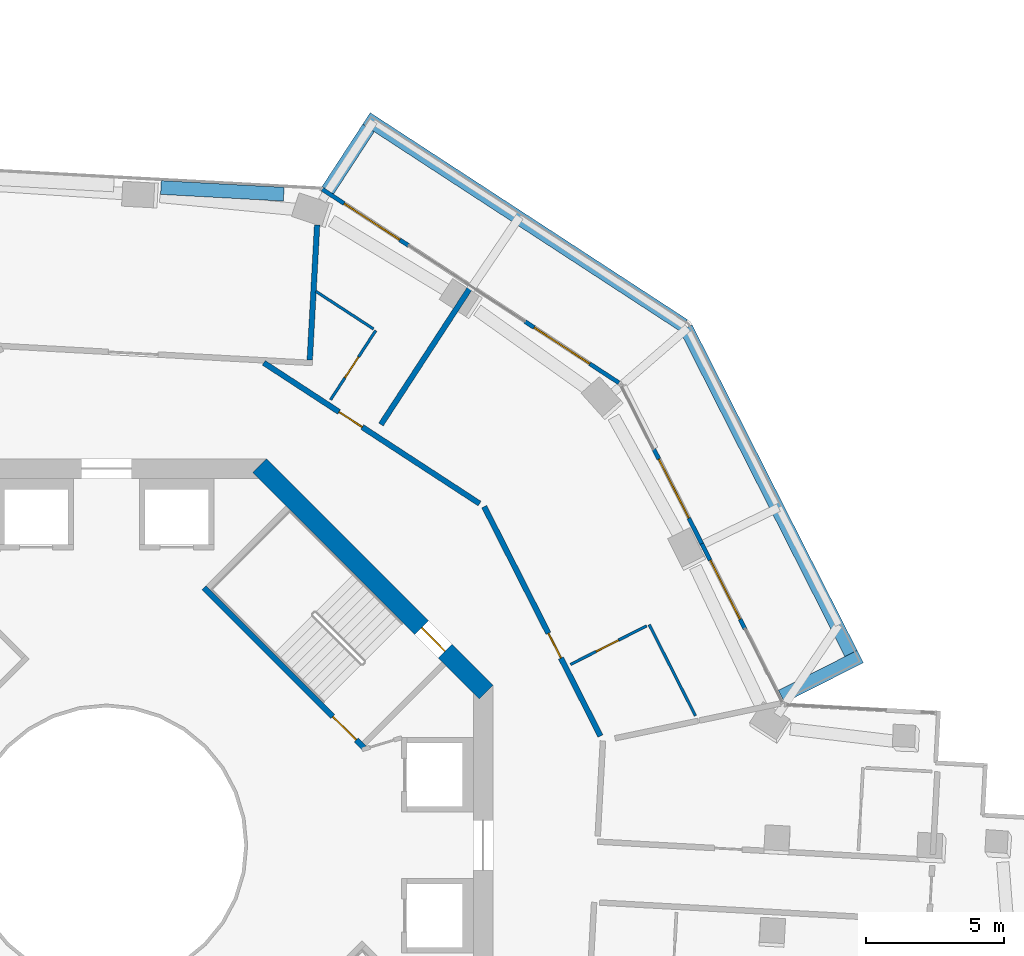
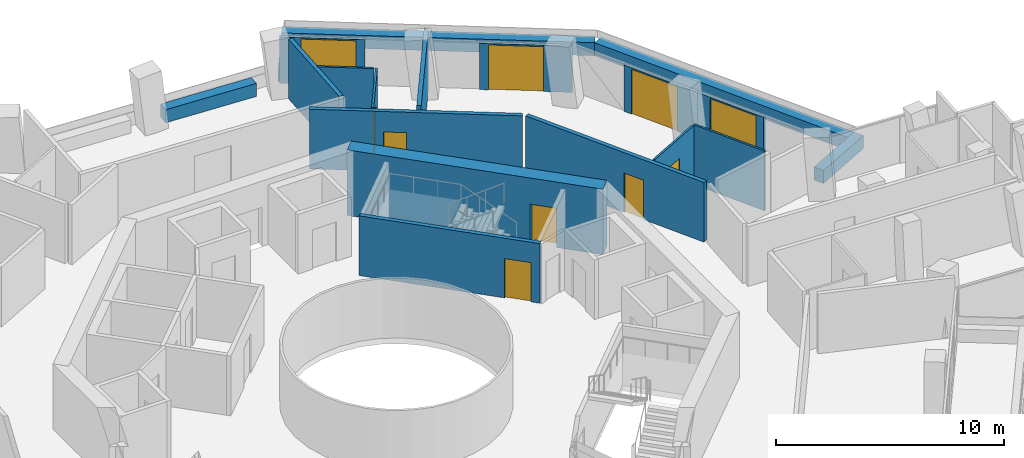
# One storey, part 20 of 23: 19 walls, 10 doors, 10 openings.
"""IFC4 building model written with IfcOpenShell, lengths in metres."""

from ifc_helpers import new_model, si_unit, direction, frame, frame_2d, origin, place, context, subcontext, project, spatial, rectangle, extrude, material, layer, layer_set, type_object, element, fill, save


model = new_model("IFC4")

# Units and contexts
model_context = context("Model", 3, precision=1e-05, world=origin(), true_north=direction((0.0, 1.0)))
body_context = subcontext(model_context, "Body", "Model", "MODEL_VIEW")
ifc_project = project(units=[si_unit("LENGTHUNIT", "METRE"), si_unit("AREAUNIT", "SQUARE_METRE"), si_unit("VOLUMEUNIT", "CUBIC_METRE"), si_unit("PLANEANGLEUNIT", "RADIAN"), si_unit("MASSUNIT", "GRAM", prefix="KILO")], contexts=[model_context])

# Site, building, storey
site_placement = place(None, origin())
site = spatial("IfcSite", under=ifc_project, at=site_placement, CompositionType="ELEMENT")
building_placement = place(site_placement, origin())
building = spatial("IfcBuilding", under=site, at=building_placement, Name="Verdalira Terraces Hotel", CompositionType="ELEMENT")
storey_placement = place(building_placement, frame((0.0, 0.0, 143.5)))
storey = spatial("IfcBuildingStorey", under=building, at=storey_placement, Name="L34", CompositionType="ELEMENT", Elevation=143.5)

# Walls
ifc_material_1 = material(Name="Concrete C40", Category="concrete")
ifc_layer_1 = layer(ifc_material_1, 0.5)
ifc_layer_set_1 = layer_set([ifc_layer_1], Name="Balcony planter trough with tree")
wall_type_1 = type_object("IfcWallType", Name="Balcony planter trough with tree", PredefinedType="SOLIDWALL", material=ifc_layer_set_1)
wall_1_placement = place(storey_placement, frame((24.464111, 5.393555, 0.0), z_axis=(0.0, 0.0, 1.0), x_axis=(0.89195617, 0.452121875, 0.0)))
element("IfcWall", 1, at=wall_1_placement, inside=storey, type_object=wall_type_1, Name="Balcony planter", PredefinedType="SOLIDWALL", context=body_context, shape_type="SweptSolid", body=[
    extrude(rectangle(XDim=3.198975, YDim=0.5, at=frame_2d((1.599609, 0.0))), origin(), (0.0, 0.0, 1.0), 0.699951),
])
wall_2_placement = place(storey_placement, frame((26.981445, 6.949707, 0.0), z_axis=(0.0, 0.0, 1.0), x_axis=(-0.452125212, 0.891954479, 0.0)))
element("IfcWall", 2, at=wall_2_placement, inside=storey, type_object=wall_type_1, Name="Balcony planter", PredefinedType="SOLIDWALL", context=body_context, shape_type="SweptSolid", body=[
    extrude(rectangle(XDim=13.223633, YDim=0.5, at=frame_2d((6.611816, 0.0))), origin(), (0.0, 0.0, 1.0), 0.699951),
])
wall_3_placement = place(storey_placement, frame((20.91626, 18.84082, 0.0), z_axis=(0.0, 0.0, 1.0), x_axis=(-0.837521399, 0.546404526, 0.0)))
element("IfcWall", 3, at=wall_3_placement, inside=storey, type_object=wall_type_1, Name="Balcony planter", PredefinedType="SOLIDWALL", context=body_context, shape_type="SweptSolid", body=[
    extrude(rectangle(XDim=13.723389, YDim=0.5, at=frame_2d((6.861816, 0.0))), origin(), (0.0, 0.0, 1.0), 0.699951),
])
wall_4_placement = place(storey_placement, frame((9.495361, 25.993408, 0.0), z_axis=(0.0, 0.0, 1.0), x_axis=(-0.546427803, -0.837506212, 0.0)))
element("IfcWall", 4, at=wall_4_placement, inside=storey, type_object=wall_type_1, Name="Balcony planter", PredefinedType="SOLIDWALL", context=body_context, shape_type="SweptSolid", body=[
    extrude(rectangle(XDim=2.698975, YDim=0.5, at=frame_2d((1.349609, 0.0))), origin(), (0.0, 0.0, 1.0), 0.699951),
])
ifc_material_2 = material(Name="Moisture-resistant gypsum board partition")
ifc_layer_2 = layer(ifc_material_2, 0.10009765625)
ifc_layer_set_2 = layer_set([ifc_layer_2], Name="Bathroom partition 100 mm")
wall_type_2 = type_object("IfcWallType", Name="Bathroom partition 100 mm", PredefinedType="PARTITIONING", material=ifc_layer_set_2)
wall_5_placement = place(storey_placement, frame((7.586426, 20.074707, 0.0), z_axis=(0.0, 0.0, 1.0), x_axis=(0.837560013, -0.546345335, 0.0)))
element("IfcWall", 5, at=wall_5_placement, inside=storey, type_object=wall_type_2, Name="Bathroom partition", PredefinedType="PARTITIONING", context=body_context, shape_type="SweptSolid", body=[
    extrude(rectangle(XDim=2.496582, YDim=0.100098, at=frame_2d((1.248291, 0.0))), origin(), (0.0, 0.0, 1.0), 3.189941),
])

# Wall, opening, door
wall_6_placement = place(storey_placement, frame((8.121826, 16.143311, 0.0), z_axis=(0.0, 0.0, 1.0), x_axis=(0.546372035, 0.837542595, 0.0)))
wall_6 = element("IfcWall", 6, at=wall_6_placement, inside=storey, type_object=wall_type_2, Name="Bathroom partition", PredefinedType="PARTITIONING", context=body_context, shape_type="SweptSolid", body=[
    extrude(rectangle(XDim=3.0, YDim=0.100098, at=frame_2d((1.5, 0.0))), origin(), (0.0, 0.0, 1.0), 3.189941),
])
opening_1_placement = place(wall_6_placement, frame((0.949951, 0.0, 0.0)))
opening_1 = element("IfcOpeningElement", 7, at=opening_1_placement, cuts=wall_6, Name="Opening L34-130", PredefinedType="OPENING", context=body_context, shape_type="SweptSolid", body=[
    extrude(rectangle(XDim=0.899902, YDim=2.100098, at=frame_2d((0.449951, 1.050049))), frame((0.0, 0.060059, 0.0), z_axis=(0.0, -1.0, 0.0), x_axis=(1.0, 0.0, 0.0)), (0.0, 0.0, 1.0), 0.120117),
])
ifc_material_3 = material(Name="Timber door", Category="wood")
door_type_1 = type_object("IfcDoorType", Name="Bathroom door 900 x 2100", OperationType="NOTDEFINED", PredefinedType="DOOR", material=ifc_material_3)
door_1_placement = place(opening_1_placement, origin())
door_1 = element("IfcDoor", 8, at=door_1_placement, inside=storey, type_object=door_type_1, Name="Bathroom door 3411", OperationType="SINGLE_SWING_RIGHT", OverallHeight=2.10009765625, OverallWidth=0.89990234375, PredefinedType="DOOR", context=body_context, shape_type="SweptSolid", body=[
    extrude(rectangle(XDim=0.899902, YDim=2.100098, at=frame_2d((0.449951, 1.050049))), frame((0.0, 0.024902, 0.0), z_axis=(0.0, -1.0, 0.0), x_axis=(1.0, 0.0, 0.0)), (0.0, 0.0, 1.0), 0.050049),
])
fill(opening_1, door_1)

wall_7_placement = place(storey_placement, frame((19.578125, 7.952637, 0.0), z_axis=(0.0, 0.0, 1.0), x_axis=(-0.891956597, -0.452121033, 0.0)))
wall_7 = element("IfcWall", 9, at=wall_7_placement, inside=storey, type_object=wall_type_2, Name="Bathroom partition", PredefinedType="PARTITIONING", context=body_context, shape_type="SweptSolid", body=[
    extrude(rectangle(XDim=3.100098, YDim=0.100098, at=frame_2d((1.550049, 0.0))), origin(), (0.0, 0.0, 1.0), 3.189941),
])
opening_2_placement = place(wall_7_placement, frame((1.149902, 0.0, 0.0)))
opening_2 = element("IfcOpeningElement", 10, at=opening_2_placement, cuts=wall_7, Name="Opening L34-128", PredefinedType="OPENING", context=body_context, shape_type="SweptSolid", body=[
    extrude(rectangle(XDim=0.899902, YDim=2.100098, at=frame_2d((0.449951, 1.050049))), frame((0.0, 0.060059, 0.0), z_axis=(0.0, -1.0, 0.0), x_axis=(1.0, 0.0, 0.0)), (0.0, 0.0, 1.0), 0.120117),
])
door_2_placement = place(opening_2_placement, origin())
door_2 = element("IfcDoor", 11, at=door_2_placement, inside=storey, type_object=door_type_1, Name="Bathroom door 3410", OperationType="SINGLE_SWING_LEFT", OverallHeight=2.10009765625, OverallWidth=0.89990234375, PredefinedType="DOOR", context=body_context, shape_type="SweptSolid", body=[
    extrude(rectangle(XDim=0.899902, YDim=2.100098, at=frame_2d((0.449951, 1.050049))), frame((0.0, 0.024902, 0.0), z_axis=(0.0, -1.0, 0.0), x_axis=(1.0, 0.0, 0.0)), (0.0, 0.0, 1.0), 0.050049),
])
fill(opening_2, door_2)

# Wall
wall_8_placement = place(storey_placement, frame((19.667236, 7.997803, 0.0), z_axis=(0.0, 0.0, 1.0), x_axis=(0.452110949, -0.891961709, 0.0)))
element("IfcWall", 12, at=wall_8_placement, inside=storey, type_object=wall_type_2, Name="Bathroom partition", PredefinedType="PARTITIONING", context=body_context, shape_type="SweptSolid", body=[
    extrude(rectangle(XDim=3.703857, YDim=0.100098, at=frame_2d((1.852051, 0.0))), origin(), (0.0, 0.0, 1.0), 3.189941),
])

# Wall, opening, door
ifc_material_4 = material(Name="Concrete C50", Category="concrete")
ifc_layer_3 = layer(ifc_material_4, 0.199951171875)
ifc_layer_set_3 = layer_set([ifc_layer_3], Name="Core RC wall 200 C50")
wall_type_3 = type_object("IfcWallType", Name="Core RC wall 200 C50", PredefinedType="SOLIDWALL", material=ifc_layer_set_3)
wall_9_placement = place(storey_placement, frame((3.5354, 9.33374, 0.0), z_axis=(0.0, 0.0, 1.0), x_axis=(0.707106781, -0.707106781, 0.0)))
wall_9 = element("IfcWall", 13, at=wall_9_placement, inside=storey, type_object=wall_type_3, Name="L34 stair ST1 front wall", PredefinedType="SOLIDWALL", context=body_context, shape_type="SweptSolid", body=[
    extrude(rectangle(XDim=8.200195, YDim=0.199951, at=frame_2d((4.100098, 0.0))), origin(), (0.0, 0.0, 1.0), 3.189941),
])
opening_3_placement = place(wall_9_placement, frame((6.600098, 0.0, 0.0)))
opening_3 = element("IfcOpeningElement", 14, at=opening_3_placement, cuts=wall_9, Name="Opening L34-809", PredefinedType="OPENING", context=body_context, shape_type="SweptSolid", body=[
    extrude(rectangle(XDim=1.199951, YDim=2.100098, at=frame_2d((0.600098, 1.050049))), frame((0.0, 0.109863, 0.0), z_axis=(0.0, -1.0, 0.0), x_axis=(1.0, 0.0, 0.0)), (0.0, 0.0, 1.0), 0.219971),
])
ifc_material_5 = material(Name="Steel fire door", Category="steel")
door_type_2 = type_object("IfcDoorType", Name="Stair door 1200 x 2100", OperationType="NOTDEFINED", PredefinedType="DOOR", material=ifc_material_5)
door_3_placement = place(opening_3_placement, origin())
door_3 = element("IfcDoor", 15, at=door_3_placement, inside=storey, type_object=door_type_2, Name="Stair door ST1 L34", OperationType="SINGLE_SWING_RIGHT", OverallHeight=2.10009765625, OverallWidth=1.199951171875, PredefinedType="DOOR", context=body_context, shape_type="SweptSolid", body=[
    extrude(rectangle(XDim=1.199951, YDim=2.100098, at=frame_2d((0.600098, 1.050049))), frame((0.0, 0.024902, 0.0), z_axis=(0.0, -1.0, 0.0), x_axis=(1.0, 0.0, 0.0)), (0.0, 0.0, 1.0), 0.050049),
])
fill(opening_3, door_3)

ifc_material_6 = material(Name="Concrete C60", Category="concrete")
ifc_layer_4 = layer(ifc_material_6, 0.699951171875)
ifc_layer_set_4 = layer_set([ifc_layer_4], Name="Core wall 700 C60")
wall_type_4 = type_object("IfcWallType", Name="Core wall 700 C60", PredefinedType="SHEAR", material=ifc_layer_set_4)
wall_10_placement = place(storey_placement, frame((13.752441, 5.551514, 0.0), z_axis=(0.0, 0.0, 1.0), x_axis=(-0.707106781, 0.707106781, 0.0)))
wall_10 = element("IfcWall", 16, at=wall_10_placement, inside=storey, type_object=wall_type_4, Name="Core wall CW-L34-2", PredefinedType="SHEAR", context=body_context, shape_type="SweptSolid", body=[
    extrude(rectangle(XDim=11.5979, YDim=0.699951, at=frame_2d((5.798828, 0.0))), origin(), (0.0, 0.0, 1.0), 3.5),
])
opening_4_placement = place(wall_10_placement, frame((2.099121, 0.0, 0.0)))
opening_4 = element("IfcOpeningElement", 17, at=opening_4_placement, cuts=wall_10, Name="Opening L34-816", PredefinedType="OPENING", context=body_context, shape_type="SweptSolid", body=[
    extrude(rectangle(XDim=1.199951, YDim=2.100098, at=frame_2d((0.600098, 1.050049))), frame((0.0, 0.359863, 0.0), z_axis=(0.0, -1.0, 0.0), x_axis=(1.0, 0.0, 0.0)), (0.0, 0.0, 1.0), 0.719971),
])
door_4_placement = place(opening_4_placement, origin())
door_4 = element("IfcDoor", 18, at=door_4_placement, inside=storey, type_object=door_type_2, Name="Stair exit door ST1 L34", OperationType="SINGLE_SWING_LEFT", OverallHeight=2.10009765625, OverallWidth=1.199951171875, PredefinedType="DOOR", context=body_context, shape_type="SweptSolid", body=[
    extrude(rectangle(XDim=1.199951, YDim=2.100098, at=frame_2d((0.600098, 1.050049))), frame((0.0, 0.024902, 0.0), z_axis=(0.0, -1.0, 0.0), x_axis=(1.0, 0.0, 0.0)), (0.0, 0.0, 1.0), 0.050049),
])
fill(opening_4, door_4)

# Wall
ifc_material_7 = material(Name="Fire-rated gypsum board wall")
ifc_layer_5 = layer(ifc_material_7, 0.199951171875)
ifc_layer_set_5 = layer_set([ifc_layer_5], Name="Demising wall 200 mm")
wall_type_5 = type_object("IfcWallType", Name="Demising wall 200 mm", PredefinedType="SOLIDWALL", material=ifc_layer_set_5)
wall_11_placement = place(storey_placement, frame((9.94751, 15.247803, 0.0), z_axis=(0.0, 0.0, 1.0), x_axis=(0.546387636, 0.837532418, 0.0)))
element("IfcWall", 19, at=wall_11_placement, inside=storey, type_object=wall_type_5, Name="Demising wall", PredefinedType="SOLIDWALL", context=body_context, shape_type="SweptSolid", body=[
    extrude(rectangle(XDim=5.902588, YDim=0.199951, at=frame_2d((2.951172, 0.0))), origin(), (0.0, 0.0, 1.0), 3.189941),
])

# Wall, opening, door
ifc_material_8 = material(Name="Fire-rated gypsum board wall")
ifc_layer_6 = layer(ifc_material_8, 0.199951171875)
ifc_layer_set_6 = layer_set([ifc_layer_6], Name="Guest corridor wall 200 mm")
wall_type_6 = type_object("IfcWallType", Name="Guest corridor wall 200 mm", PredefinedType="SOLIDWALL", material=ifc_layer_set_6)
wall_12_placement = place(storey_placement, frame((5.701172, 17.483887, 0.0), z_axis=(0.0, 0.0, 1.0), x_axis=(0.83752891, -0.546393013, 0.0)))
wall_12 = element("IfcWall", 20, at=wall_12_placement, inside=storey, type_object=wall_type_6, Name="Guest corridor wall", PredefinedType="SOLIDWALL", context=body_context, shape_type="SweptSolid", body=[
    extrude(rectangle(XDim=9.335938, YDim=0.199951, at=frame_2d((4.667969, 0.0))), origin(), (0.0, 0.0, 1.0), 3.189941),
])
opening_5_placement = place(wall_12_placement, frame((3.26001, 0.0, 0.0)))
opening_5 = element("IfcOpeningElement", 21, at=opening_5_placement, cuts=wall_12, Name="Opening L34-129", PredefinedType="OPENING", context=body_context, shape_type="SweptSolid", body=[
    extrude(rectangle(XDim=1.0, YDim=2.100098, at=frame_2d((0.5, 1.050049))), frame((0.0, 0.109863, 0.0), z_axis=(0.0, -1.0, 0.0), x_axis=(1.0, 0.0, 0.0)), (0.0, 0.0, 1.0), 0.219971),
])
ifc_material_9 = material(Name="Timber fire door", Category="wood")
door_type_3 = type_object("IfcDoorType", Name="Guest entry door 1000 x 2100", OperationType="NOTDEFINED", PredefinedType="DOOR", material=ifc_material_9)
door_5_placement = place(opening_5_placement, origin())
door_5 = element("IfcDoor", 22, at=door_5_placement, inside=storey, type_object=door_type_3, Name="Guest entry door 3411", OperationType="SINGLE_SWING_RIGHT", OverallHeight=2.10009765625, OverallWidth=1.0, PredefinedType="DOOR", context=body_context, shape_type="SweptSolid", body=[
    extrude(rectangle(XDim=1.0, YDim=2.100098, at=frame_2d((0.5, 1.050049))), frame((0.0, 0.024902, 0.0), z_axis=(0.0, -1.0, 0.0), x_axis=(1.0, 0.0, 0.0)), (0.0, 0.0, 1.0), 0.050049),
])
fill(opening_5, door_5)

wall_13_placement = place(storey_placement, frame((13.688477, 12.272705, 0.0), z_axis=(0.0, 0.0, 1.0), x_axis=(0.452112705, -0.891960818, 0.0)))
wall_13 = element("IfcWall", 23, at=wall_13_placement, inside=storey, type_object=wall_type_6, Name="Guest corridor wall", PredefinedType="SOLIDWALL", context=body_context, shape_type="SweptSolid", body=[
    extrude(rectangle(XDim=9.316162, YDim=0.199951, at=frame_2d((4.658203, 0.0))), origin(), (0.0, 0.0, 1.0), 3.189941),
])
opening_6_placement = place(wall_13_placement, frame((5.149902, 0.0, 0.0)))
opening_6 = element("IfcOpeningElement", 24, at=opening_6_placement, cuts=wall_13, Name="Opening L34-127", PredefinedType="OPENING", context=body_context, shape_type="SweptSolid", body=[
    extrude(rectangle(XDim=1.0, YDim=2.100098, at=frame_2d((0.5, 1.050049))), frame((0.0, 0.109863, 0.0), z_axis=(0.0, -1.0, 0.0), x_axis=(1.0, 0.0, 0.0)), (0.0, 0.0, 1.0), 0.219971),
])
door_6_placement = place(opening_6_placement, origin())
door_6 = element("IfcDoor", 25, at=door_6_placement, inside=storey, type_object=door_type_3, Name="Guest entry door 3410", OperationType="SINGLE_SWING_LEFT", OverallHeight=2.10009765625, OverallWidth=1.0, PredefinedType="DOOR", context=body_context, shape_type="SweptSolid", body=[
    extrude(rectangle(XDim=1.0, YDim=2.100098, at=frame_2d((0.5, 1.050049))), frame((0.0, 0.024902, 0.0), z_axis=(0.0, -1.0, 0.0), x_axis=(1.0, 0.0, 0.0)), (0.0, 0.0, 1.0), 0.050049),
])
fill(opening_6, door_6)

# Walls
ifc_material_10 = material(Name="Terracotta cladding", Category="masonry")
ifc_layer_7 = layer(ifc_material_10, 0.199951171875)
ifc_layer_set_7 = layer_set([ifc_layer_7], Name="Loggia back wall 200")
wall_type_7 = type_object("IfcWallType", Name="Loggia back wall 200", PredefinedType="SOLIDWALL", material=ifc_layer_set_7)
wall_14_placement = place(storey_placement, frame((7.634766, 22.480469, 0.0), z_axis=(0.0, 0.0, 1.0), x_axis=(-0.054411249, -0.998518611, 0.0)))
element("IfcWall", 26, at=wall_14_placement, inside=storey, type_object=wall_type_7, Name="Loggia side wall", PredefinedType="SOLIDWALL", context=body_context, shape_type="SweptSolid", body=[
    extrude(rectangle(XDim=4.904297, YDim=0.199951, at=frame_2d((2.452148, 0.0))), origin(), (0.0, 0.0, 1.0), 3.189941),
])
ifc_material_11 = material(Name="Concrete C40", Category="concrete")
ifc_layer_8 = layer(ifc_material_11, 0.5)
ifc_layer_set_8 = layer_set([ifc_layer_8], Name="Loggia planter trough with tree")
wall_type_8 = type_object("IfcWallType", Name="Loggia planter trough with tree", PredefinedType="SOLIDWALL", material=ifc_layer_set_8)
wall_15_placement = place(storey_placement, frame((6.425781, 23.593506, 0.0), z_axis=(0.0, 0.0, 1.0), x_axis=(-0.998516629, 0.054447613, 0.0)))
element("IfcWall", 27, at=wall_15_placement, inside=storey, type_object=wall_type_8, Name="Loggia planter", PredefinedType="SOLIDWALL", context=body_context, shape_type="SweptSolid", body=[
    extrude(rectangle(XDim=4.457031, YDim=0.5, at=frame_2d((2.228516, 0.0))), origin(), (0.0, 0.0, 1.0), 0.699951),
])

# Wall, opening, door
ifc_material_12 = material(Name="Terracotta cladding", Category="masonry")
ifc_layer_9 = layer(ifc_material_12, 0.14990234375)
ifc_layer_set_9 = layer_set([ifc_layer_9], Name="Terracotta door pier 150")
wall_type_9 = type_object("IfcWallType", Name="Terracotta door pier 150", PredefinedType="SOLIDWALL", material=ifc_layer_set_9)
wall_16_placement = place(storey_placement, frame((23.141602, 7.834229, 0.0), z_axis=(0.0, 0.0, 1.0), x_axis=(-0.452096723, 0.891968919, 0.0)))
wall_16 = element("IfcWall", 28, at=wall_16_placement, inside=storey, type_object=wall_type_9, Name="Terracotta door pier", PredefinedType="SOLIDWALL", context=body_context, shape_type="SweptSolid", body=[
    extrude(rectangle(XDim=3.475098, YDim=0.149902, at=frame_2d((1.737549, 0.0))), origin(), (0.0, 0.0, 1.0), 2.475098),
])
opening_7_placement = place(wall_16_placement, frame((0.399902, 0.0, 0.0)))
opening_7 = element("IfcOpeningElement", 29, at=opening_7_placement, cuts=wall_16, Name="Opening L34-B11", PredefinedType="OPENING", context=body_context, shape_type="SweptSolid", body=[
    extrude(rectangle(XDim=2.399902, YDim=2.399902, at=frame_2d((1.199951, 1.199951))), frame((0.0, 0.084961, 0.0), z_axis=(0.0, -1.0, 0.0), x_axis=(1.0, 0.0, 0.0)), (0.0, 0.0, 1.0), 0.169922),
])
ifc_material_13 = material(Name="Clear glass", Category="glass")
door_type_4 = type_object("IfcDoorType", Name="Balcony sliding door 2400x2400", OperationType="NOTDEFINED", PredefinedType="DOOR", material=ifc_material_13)
door_7_placement = place(opening_7_placement, origin())
door_7 = element("IfcDoor", 30, at=door_7_placement, inside=storey, type_object=door_type_4, Name="Balcony sliding door", OperationType="SLIDING_TO_RIGHT", OverallHeight=2.39990234375, OverallWidth=2.39990234375, PredefinedType="DOOR", context=body_context, shape_type="SweptSolid", body=[
    extrude(rectangle(XDim=2.399902, YDim=2.399902, at=frame_2d((1.199951, 1.199951))), frame((0.0, 0.024902, 0.0), z_axis=(0.0, -1.0, 0.0), x_axis=(1.0, 0.0, 0.0)), (0.0, 0.0, 1.0), 0.050049),
])
fill(opening_7, door_7)

wall_17_placement = place(storey_placement, frame((21.570557, 10.933838, 0.0), z_axis=(0.0, 0.0, 1.0), x_axis=(-0.452120787, 0.891956722, 0.0)))
wall_17 = element("IfcWall", 31, at=wall_17_placement, inside=storey, type_object=wall_type_9, Name="Terracotta door pier", PredefinedType="SOLIDWALL", context=body_context, shape_type="SweptSolid", body=[
    extrude(rectangle(XDim=3.835449, YDim=0.149902, at=frame_2d((1.917725, 0.0))), origin(), (0.0, 0.0, 1.0), 2.475098),
])
opening_8_placement = place(wall_17_placement, frame((1.0354, 0.0, 0.0)))
opening_8 = element("IfcOpeningElement", 32, at=opening_8_placement, cuts=wall_17, Name="Opening L34-B12", PredefinedType="OPENING", context=body_context, shape_type="SweptSolid", body=[
    extrude(rectangle(XDim=2.399902, YDim=2.399902, at=frame_2d((1.199951, 1.199951))), frame((0.0, 0.084961, 0.0), z_axis=(0.0, -1.0, 0.0), x_axis=(1.0, 0.0, 0.0)), (0.0, 0.0, 1.0), 0.169922),
])
door_8_placement = place(opening_8_placement, origin())
door_8 = element("IfcDoor", 33, at=door_8_placement, inside=storey, type_object=door_type_4, Name="Balcony sliding door", OperationType="SLIDING_TO_LEFT", OverallHeight=2.39990234375, OverallWidth=2.39990234375, PredefinedType="DOOR", context=body_context, shape_type="SweptSolid", body=[
    extrude(rectangle(XDim=2.399902, YDim=2.399902, at=frame_2d((1.199951, 1.199951))), frame((0.0, 0.024902, 0.0), z_axis=(0.0, -1.0, 0.0), x_axis=(1.0, 0.0, 0.0)), (0.0, 0.0, 1.0), 0.050049),
])
fill(opening_8, door_8)

wall_18_placement = place(storey_placement, frame((18.57373, 16.757324, 0.0), z_axis=(0.0, 0.0, 1.0), x_axis=(-0.837530592, 0.546390434, 0.0)))
wall_18 = element("IfcWall", 34, at=wall_18_placement, inside=storey, type_object=wall_type_9, Name="Terracotta door pier", PredefinedType="SOLIDWALL", context=body_context, shape_type="SweptSolid", body=[
    extrude(rectangle(XDim=4.067871, YDim=0.149902, at=frame_2d((2.033936, 0.0))), origin(), (0.0, 0.0, 1.0), 2.475098),
])
opening_9_placement = place(wall_18_placement, frame((1.267822, 0.0, 0.0)))
opening_9 = element("IfcOpeningElement", 35, at=opening_9_placement, cuts=wall_18, Name="Opening L34-B13", PredefinedType="OPENING", context=body_context, shape_type="SweptSolid", body=[
    extrude(rectangle(XDim=2.399902, YDim=2.399902, at=frame_2d((1.199951, 1.199951))), frame((0.0, 0.084961, 0.0), z_axis=(0.0, -1.0, 0.0), x_axis=(1.0, 0.0, 0.0)), (0.0, 0.0, 1.0), 0.169922),
])
door_9_placement = place(opening_9_placement, origin())
door_9 = element("IfcDoor", 36, at=door_9_placement, inside=storey, type_object=door_type_4, Name="Balcony sliding door", OperationType="SLIDING_TO_LEFT", OverallHeight=2.39990234375, OverallWidth=2.39990234375, PredefinedType="DOOR", context=body_context, shape_type="SweptSolid", body=[
    extrude(rectangle(XDim=2.399902, YDim=2.399902, at=frame_2d((1.199951, 1.199951))), frame((0.0, 0.024902, 0.0), z_axis=(0.0, -1.0, 0.0), x_axis=(1.0, 0.0, 0.0)), (0.0, 0.0, 1.0), 0.050049),
])
fill(opening_9, door_9)

wall_19_placement = place(storey_placement, frame((10.960938, 21.723877, 0.0), z_axis=(0.0, 0.0, 1.0), x_axis=(-0.8375277, 0.546394868, 0.0)))
wall_19 = element("IfcWall", 37, at=wall_19_placement, inside=storey, type_object=wall_type_9, Name="Terracotta door pier", PredefinedType="SOLIDWALL", context=body_context, shape_type="SweptSolid", body=[
    extrude(rectangle(XDim=3.750244, YDim=0.149902, at=frame_2d((1.875, 0.0))), origin(), (0.0, 0.0, 1.0), 2.475098),
])
opening_10_placement = place(wall_19_placement, frame((0.399902, 0.0, 0.0)))
opening_10 = element("IfcOpeningElement", 38, at=opening_10_placement, cuts=wall_19, Name="Opening L34-B14", PredefinedType="OPENING", context=body_context, shape_type="SweptSolid", body=[
    extrude(rectangle(XDim=2.399902, YDim=2.399902, at=frame_2d((1.199951, 1.199951))), frame((0.0, 0.084961, 0.0), z_axis=(0.0, -1.0, 0.0), x_axis=(1.0, 0.0, 0.0)), (0.0, 0.0, 1.0), 0.169922),
])
door_10_placement = place(opening_10_placement, origin())
door_10 = element("IfcDoor", 39, at=door_10_placement, inside=storey, type_object=door_type_4, Name="Balcony sliding door", OperationType="SLIDING_TO_RIGHT", OverallHeight=2.39990234375, OverallWidth=2.39990234375, PredefinedType="DOOR", context=body_context, shape_type="SweptSolid", body=[
    extrude(rectangle(XDim=2.399902, YDim=2.399902, at=frame_2d((1.199951, 1.199951))), frame((0.0, 0.024902, 0.0), z_axis=(0.0, -1.0, 0.0), x_axis=(1.0, 0.0, 0.0)), (0.0, 0.0, 1.0), 0.050049),
])
fill(opening_10, door_10)

save(model, "model.ifc")
